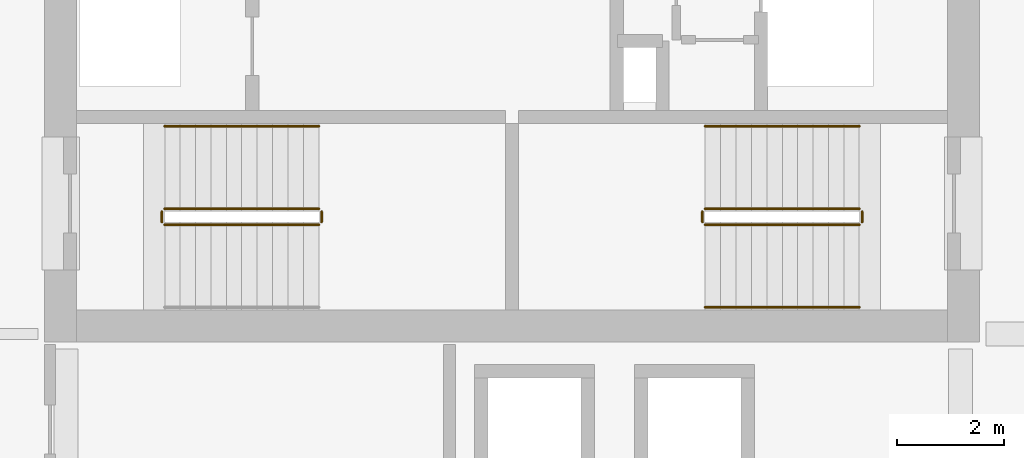
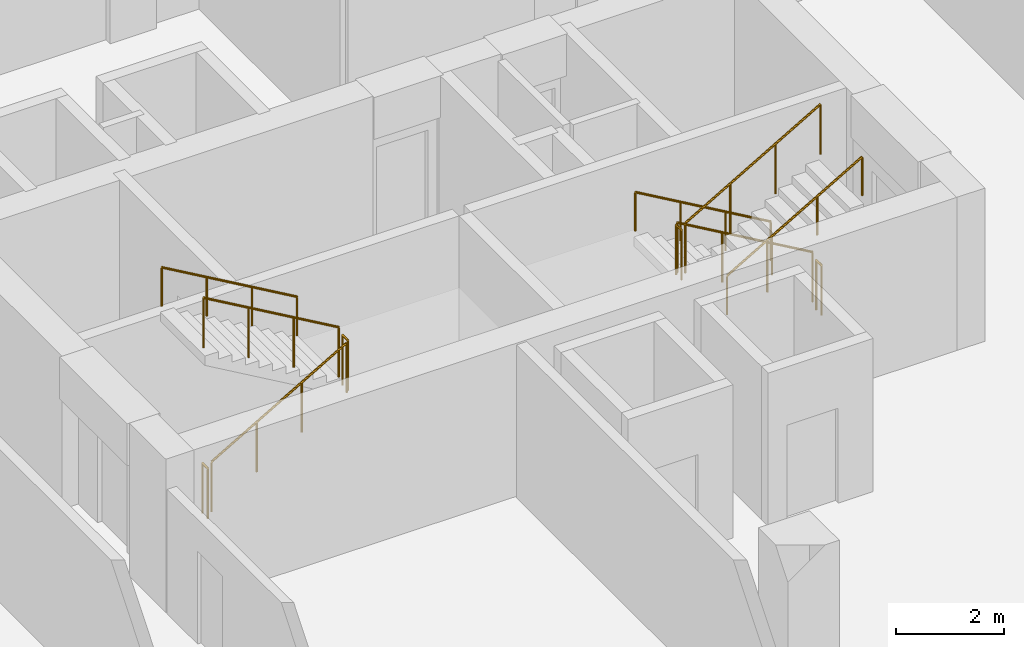
# One storey, part 17 of 19: 11 railings.
"""IFC4 building model written with IfcOpenShell, lengths in metres."""

from ifc_helpers import new_model, si_unit, direction, frame, origin, origin_2d, place, context, subcontext, project, spatial, circle, extrude, material, type_object, element, save


model = new_model("IFC4")

# Units and contexts
model_context = context("Model", 3, precision=1e-05, world=origin(), true_north=direction((0.0, 1.0)))
body_context = subcontext(model_context, "Body", "Model", "MODEL_VIEW")
ifc_project = project(units=[si_unit("LENGTHUNIT", "METRE"), si_unit("AREAUNIT", "SQUARE_METRE"), si_unit("VOLUMEUNIT", "CUBIC_METRE"), si_unit("PLANEANGLEUNIT", "RADIAN"), si_unit("MASSUNIT", "GRAM", prefix="KILO")], contexts=[model_context])

# Site, building, storey
site_placement = place(None, origin())
site = spatial("IfcSite", under=ifc_project, at=site_placement, CompositionType="ELEMENT")
building_placement = place(site_placement, origin())
building = spatial("IfcBuilding", under=site, at=building_placement, Name="Koriwani Terraces Tower", CompositionType="ELEMENT")
storey_placement = place(building_placement, frame((0.0, 0.0, 190.199951171875)))
storey = spatial("IfcBuildingStorey", under=building, at=storey_placement, Name="L46", CompositionType="ELEMENT", Elevation=190.199951171875)

# Railings
ifc_material = material(Name="Steel ASTM A572 Grade 50", Category="steel")
railing_type_1 = type_object("IfcRailingType", Name="GUARD_STAIR_WELL_1120", PredefinedType="GUARDRAIL", material=ifc_material)
railing_1_placement = place(storey_placement, frame((43.85009765625, 18.85009765625, 0.168212890625)))
element("IfcRailing", 1, at=railing_1_placement, inside=storey, type_object=railing_type_1, Name="L46 ST-E1 stair guard 1", PredefinedType="GUARDRAIL", context=body_context, shape_type="SweptSolid", body=[
    extrude(circle(Radius=0.02392578125, at=origin_2d()), frame((0.0, 0.0, 1.1259765625), z_axis=(0.865038774852, 0.0, 0.501705010941), x_axis=(0.0, 1.0, 0.0)), (0.0, 0.0, 1.0), 3.352294921875),
    extrude(circle(Radius=0.02099609375, at=origin_2d()), origin(), (0.0, 0.0, 1.0), 1.101806640625),
    extrude(circle(Radius=0.02099609375, at=origin_2d()), frame((0.966552734375, 0.0, 0.560546875)), (0.0, 0.0, 1.0), 1.101806640625),
    extrude(circle(Radius=0.02099609375, at=origin_2d()), frame((1.933349609375, 0.0, 1.121337890625)), (0.0, 0.0, 1.0), 1.101806640625),
    extrude(circle(Radius=0.02099609375, at=origin_2d()), frame((2.89990234375, 0.0, 1.681884765625)), (0.0, 0.0, 1.0), 1.101806640625),
])
railing_2_placement = place(storey_placement, frame((46.800048828125, 18.89990234375, 1.85009765625)))
element("IfcRailing", 2, at=railing_2_placement, inside=storey, type_object=railing_type_1, Name="L46 ST-E1 stair guard 2", PredefinedType="GUARDRAIL", context=body_context, shape_type="SweptSolid", body=[
    extrude(circle(Radius=0.02392578125, at=origin_2d()), frame((0.0, 0.0, 1.1259765625), z_axis=(0.0, 1.0, 0.0), x_axis=(-1.0, 0.0, 0.0)), (0.0, 0.0, 1.0), 0.2001953125),
    extrude(circle(Radius=0.02099609375, at=origin_2d()), origin(), (0.0, 0.0, 1.0), 1.101806640625),
    extrude(circle(Radius=0.02099609375, at=origin_2d()), frame((0.0, 0.2001953125, 0.0)), (0.0, 0.0, 1.0), 1.101806640625),
])
railing_3_placement = place(storey_placement, frame((46.75, 19.14990234375, 2.018310546875)))
element("IfcRailing", 3, at=railing_3_placement, inside=storey, type_object=railing_type_1, Name="L46 ST-E1 stair guard 3", PredefinedType="GUARDRAIL", context=body_context, shape_type="SweptSolid", body=[
    extrude(circle(Radius=0.02392578125, at=origin_2d()), frame((0.0, 0.0, 1.1259765625), z_axis=(-0.86507038078, 0.0, 0.501650512107), x_axis=(0.0, -1.0, 0.0)), (0.0, 0.0, 1.0), 3.352294921875),
    extrude(circle(Radius=0.02099609375, at=origin_2d()), origin(), (0.0, 0.0, 1.0), 1.101806640625),
    extrude(circle(Radius=0.02099609375, at=origin_2d()), frame((-0.966552734375, 0.0, 0.560546875)), (0.0, 0.0, 1.0), 1.101806640625),
    extrude(circle(Radius=0.02099609375, at=origin_2d()), frame((-1.933349609375, 0.0, 1.12109375)), (0.0, 0.0, 1.0), 1.101806640625),
    extrude(circle(Radius=0.02099609375, at=origin_2d()), frame((-2.89990234375, 0.0, 1.681640625)), (0.0, 0.0, 1.0), 1.101806640625),
])
railing_4_placement = place(storey_placement, frame((43.800048828125, 18.89990234375, 0.0)))
element("IfcRailing", 4, at=railing_4_placement, inside=storey, type_object=railing_type_1, Name="L46 ST-E1 stair guard 4", PredefinedType="GUARDRAIL", context=body_context, shape_type="SweptSolid", body=[
    extrude(circle(Radius=0.02392578125, at=origin_2d()), frame((0.0, 0.0, 1.1259765625), z_axis=(0.0, 1.0, 0.0), x_axis=(-1.0, 0.0, 0.0)), (0.0, 0.0, 1.0), 0.2001953125),
    extrude(circle(Radius=0.02099609375, at=origin_2d()), origin(), (0.0, 0.0, 1.0), 1.101806640625),
    extrude(circle(Radius=0.02099609375, at=origin_2d()), frame((0.0, 0.2001953125, 0.0)), (0.0, 0.0, 1.0), 1.101806640625),
])
railing_5_placement = place(storey_placement, frame((56.89990234375, 19.14990234375, 0.168212890625)))
element("IfcRailing", 5, at=railing_5_placement, inside=storey, type_object=railing_type_1, Name="L46 ST-E2 stair guard 1", PredefinedType="GUARDRAIL", context=body_context, shape_type="SweptSolid", body=[
    extrude(circle(Radius=0.02392578125, at=origin_2d()), frame((0.0, 0.0, 1.1259765625), z_axis=(-0.865038774852, 0.0, 0.501705010941), x_axis=(0.0, -1.0, 0.0)), (0.0, 0.0, 1.0), 3.352294921875),
    extrude(circle(Radius=0.02099609375, at=origin_2d()), origin(), (0.0, 0.0, 1.0), 1.101806640625),
    extrude(circle(Radius=0.02099609375, at=origin_2d()), frame((-0.966552734375, 0.0, 0.560546875)), (0.0, 0.0, 1.0), 1.101806640625),
    extrude(circle(Radius=0.02099609375, at=origin_2d()), frame((-1.933349609375, 0.0, 1.121337890625)), (0.0, 0.0, 1.0), 1.101806640625),
    extrude(circle(Radius=0.02099609375, at=origin_2d()), frame((-2.89990234375, 0.0, 1.681884765625)), (0.0, 0.0, 1.0), 1.101806640625),
])
railing_6_placement = place(storey_placement, frame((53.949951171875, 19.10009765625, 1.85009765625)))
element("IfcRailing", 6, at=railing_6_placement, inside=storey, type_object=railing_type_1, Name="L46 ST-E2 stair guard 2", PredefinedType="GUARDRAIL", context=body_context, shape_type="SweptSolid", body=[
    extrude(circle(Radius=0.02392578125, at=origin_2d()), frame((0.0, 0.0, 1.1259765625), z_axis=(0.0, -1.0, 0.0), x_axis=(1.0, 0.0, 0.0)), (0.0, 0.0, 1.0), 0.2001953125),
    extrude(circle(Radius=0.02099609375, at=origin_2d()), origin(), (0.0, 0.0, 1.0), 1.101806640625),
    extrude(circle(Radius=0.02099609375, at=origin_2d()), frame((0.0, -0.2001953125, 0.0)), (0.0, 0.0, 1.0), 1.101806640625),
])
railing_7_placement = place(storey_placement, frame((54.0, 18.85009765625, 2.018310546875)))
element("IfcRailing", 7, at=railing_7_placement, inside=storey, type_object=railing_type_1, Name="L46 ST-E2 stair guard 3", PredefinedType="GUARDRAIL", context=body_context, shape_type="SweptSolid", body=[
    extrude(circle(Radius=0.02392578125, at=origin_2d()), frame((0.0, 0.0, 1.1259765625), z_axis=(0.86507038078, 0.0, 0.501650512107), x_axis=(0.0, 1.0, 0.0)), (0.0, 0.0, 1.0), 3.352294921875),
    extrude(circle(Radius=0.02099609375, at=origin_2d()), origin(), (0.0, 0.0, 1.0), 1.101806640625),
    extrude(circle(Radius=0.02099609375, at=origin_2d()), frame((0.966552734375, 0.0, 0.560546875)), (0.0, 0.0, 1.0), 1.101806640625),
    extrude(circle(Radius=0.02099609375, at=origin_2d()), frame((1.933349609375, 0.0, 1.12109375)), (0.0, 0.0, 1.0), 1.101806640625),
    extrude(circle(Radius=0.02099609375, at=origin_2d()), frame((2.89990234375, 0.0, 1.681640625)), (0.0, 0.0, 1.0), 1.101806640625),
])
railing_8_placement = place(storey_placement, frame((56.949951171875, 19.10009765625, 0.0)))
element("IfcRailing", 8, at=railing_8_placement, inside=storey, type_object=railing_type_1, Name="L46 ST-E2 stair guard 4", PredefinedType="GUARDRAIL", context=body_context, shape_type="SweptSolid", body=[
    extrude(circle(Radius=0.02392578125, at=origin_2d()), frame((0.0, 0.0, 1.1259765625), z_axis=(0.0, -1.0, 0.0), x_axis=(1.0, 0.0, 0.0)), (0.0, 0.0, 1.0), 0.2001953125),
    extrude(circle(Radius=0.02099609375, at=origin_2d()), origin(), (0.0, 0.0, 1.0), 1.101806640625),
    extrude(circle(Radius=0.02099609375, at=origin_2d()), frame((0.0, -0.2001953125, 0.0)), (0.0, 0.0, 1.0), 1.101806640625),
])
railing_type_2 = type_object("IfcRailingType", Name="HANDRAIL_STAIR_920", PredefinedType="HANDRAIL", material=ifc_material)
railing_9_placement = place(storey_placement, frame((46.75, 20.699951171875, 2.018310546875)))
element("IfcRailing", 9, at=railing_9_placement, inside=storey, type_object=railing_type_2, Name="L46 ST-E1 stair handrail 2", PredefinedType="HANDRAIL", context=body_context, shape_type="SweptSolid", body=[
    extrude(circle(Radius=0.02392578125, at=origin_2d()), frame((0.0, 0.0, 0.8759765625), z_axis=(-0.86507038078, 0.0, 0.501650512107), x_axis=(0.0, -1.0, 0.0)), (0.0, 0.0, 1.0), 3.352294921875),
    extrude(circle(Radius=0.02099609375, at=origin_2d()), origin(), (0.0, 0.0, 1.0), 0.851806640625),
    extrude(circle(Radius=0.02099609375, at=origin_2d()), frame((-0.966552734375, 0.0, 0.560546875)), (0.0, 0.0, 1.0), 0.851806640625),
    extrude(circle(Radius=0.02099609375, at=origin_2d()), frame((-1.933349609375, 0.0, 1.12109375)), (0.0, 0.0, 1.0), 0.851806640625),
    extrude(circle(Radius=0.02099609375, at=origin_2d()), frame((-2.89990234375, 0.0, 1.681640625)), (0.0, 0.0, 1.0), 0.851806640625),
])
railing_10_placement = place(storey_placement, frame((56.89990234375, 20.699951171875, 0.168212890625)))
element("IfcRailing", 10, at=railing_10_placement, inside=storey, type_object=railing_type_2, Name="L46 ST-E2 stair handrail 1", PredefinedType="HANDRAIL", context=body_context, shape_type="SweptSolid", body=[
    extrude(circle(Radius=0.02392578125, at=origin_2d()), frame((0.0, 0.0, 0.8759765625), z_axis=(-0.865038774852, 0.0, 0.501705010941), x_axis=(0.0, -1.0, 0.0)), (0.0, 0.0, 1.0), 3.352294921875),
    extrude(circle(Radius=0.02099609375, at=origin_2d()), origin(), (0.0, 0.0, 1.0), 0.851806640625),
    extrude(circle(Radius=0.02099609375, at=origin_2d()), frame((-0.966552734375, 0.0, 0.560546875)), (0.0, 0.0, 1.0), 0.851806640625),
    extrude(circle(Radius=0.02099609375, at=origin_2d()), frame((-1.933349609375, 0.0, 1.121337890625)), (0.0, 0.0, 1.0), 0.851806640625),
    extrude(circle(Radius=0.02099609375, at=origin_2d()), frame((-2.89990234375, 0.0, 1.681884765625)), (0.0, 0.0, 1.0), 0.851806640625),
])
railing_11_placement = place(storey_placement, frame((54.0, 17.300048828125, 2.018310546875)))
element("IfcRailing", 11, at=railing_11_placement, inside=storey, type_object=railing_type_2, Name="L46 ST-E2 stair handrail 2", PredefinedType="HANDRAIL", context=body_context, shape_type="SweptSolid", body=[
    extrude(circle(Radius=0.02392578125, at=origin_2d()), frame((0.0, 0.0, 0.8759765625), z_axis=(0.86507038078, 0.0, 0.501650512107), x_axis=(0.0, 1.0, 0.0)), (0.0, 0.0, 1.0), 3.352294921875),
    extrude(circle(Radius=0.02099609375, at=origin_2d()), origin(), (0.0, 0.0, 1.0), 0.851806640625),
    extrude(circle(Radius=0.02099609375, at=origin_2d()), frame((0.966552734375, 0.0, 0.560546875)), (0.0, 0.0, 1.0), 0.851806640625),
    extrude(circle(Radius=0.02099609375, at=origin_2d()), frame((1.933349609375, 0.0, 1.12109375)), (0.0, 0.0, 1.0), 0.851806640625),
    extrude(circle(Radius=0.02099609375, at=origin_2d()), frame((2.89990234375, 0.0, 1.681640625)), (0.0, 0.0, 1.0), 0.851806640625),
])

save(model, "model.ifc")
